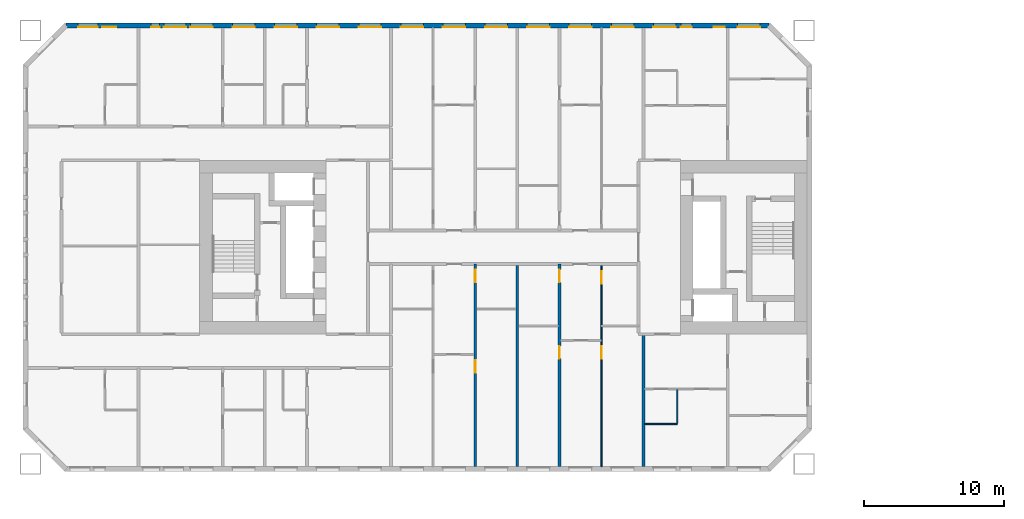
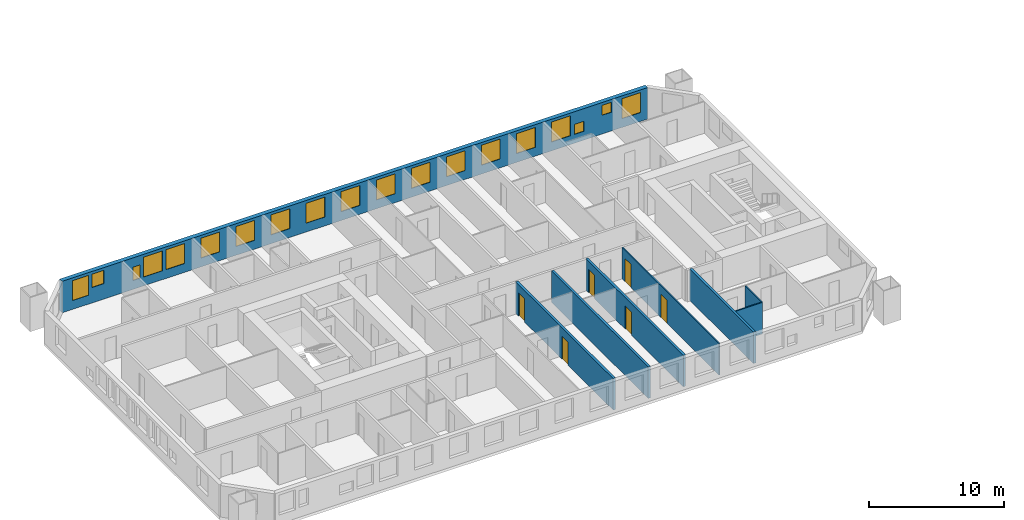
# One storey, part 6 of 17: 19 windows, 8 walls, 6 doors, 25 openings.
"""IFC4 building model written with IfcOpenShell, lengths in metres."""

from ifc_helpers import new_model, si_unit, direction, frame, frame_2d, origin, place, context, subcontext, project, spatial, rectangle, extrude, material, layer, layer_set, type_object, element, fill, save


model = new_model("IFC4")

# Units and contexts
model_context = context("Model", 3, precision=1e-05, world=origin(), true_north=direction((0.0, 1.0)))
body_context = subcontext(model_context, "Body", "Model", "MODEL_VIEW")
ifc_project = project(units=[si_unit("LENGTHUNIT", "METRE"), si_unit("AREAUNIT", "SQUARE_METRE"), si_unit("VOLUMEUNIT", "CUBIC_METRE"), si_unit("PLANEANGLEUNIT", "RADIAN"), si_unit("MASSUNIT", "GRAM", prefix="KILO")], contexts=[model_context])

# Site, building, storey
site_placement = place(None, origin())
site = spatial("IfcSite", under=ifc_project, at=site_placement, CompositionType="ELEMENT")
building_placement = place(site_placement, origin())
building = spatial("IfcBuilding", under=site, at=building_placement, Name="Tuart Gate Housing", CompositionType="ELEMENT")
storey_placement = place(building_placement, frame((0.0, 0.0, 22.60009765625)))
storey = spatial("IfcBuildingStorey", under=building, at=storey_placement, Name="L05", CompositionType="ELEMENT", Elevation=22.60009765625)

# Wall, openings, windows
ifc_material_1 = material(Name="Brick", Category="masonry")
ifc_layer_1 = layer(ifc_material_1, 0.360107421875)
ifc_layer_set_1 = layer_set([ifc_layer_1], Name="Brick pier and spandrel wall 360")
wall_type_1 = type_object("IfcWallType", Name="Brick pier and spandrel wall 360", PredefinedType="STANDARD", material=ifc_layer_set_1)
wall_1_placement = place(storey_placement, frame((72.92529296875, 85.820068359375, 0.0), z_axis=(0.0, 0.0, 1.0), x_axis=(-1.0, 0.0, 0.0)))
wall_1 = element("IfcWall", 1, at=wall_1_placement, inside=storey, type_object=wall_type_1, Name="External wall A-N L05", PredefinedType="STANDARD", context=body_context, shape_type="SweptSolid", body=[
    extrude(rectangle(XDim=50.100830078125, YDim=0.360107421875, at=frame_2d((25.05029296875, 0.0))), origin(), (0.0, 0.0, 1.0), 2.849853515625),
])
opening_1_placement = place(wall_1_placement, frame((0.62548828125, 0.0, 0.800048828125)))
opening_1 = element("IfcOpeningElement", 2, at=opening_1_placement, cuts=wall_1, Name="Opening W1", PredefinedType="OPENING", context=body_context, shape_type="SweptSolid", body=[
    extrude(rectangle(XDim=1.60009765625, YDim=1.800048828125, at=frame_2d((0.800048828125, 0.89990234375))), frame((0.0, 0.18994140625, 0.0), z_axis=(0.0, -1.0, 0.0), x_axis=(1.0, 0.0, 0.0)), (0.0, 0.0, 1.0), 0.380126953125),
])
opening_2_placement = place(wall_1_placement, frame((3.12548828125, 0.0, 1.699951171875)))
opening_2 = element("IfcOpeningElement", 3, at=opening_2_placement, cuts=wall_1, Name="Opening W1V", PredefinedType="OPENING", context=body_context, shape_type="SweptSolid", body=[
    extrude(rectangle(XDim=0.800048828125, YDim=0.89990234375, at=frame_2d((0.39990234375, 0.449951171875))), frame((0.0, 0.18994140625, 0.0), z_axis=(0.0, -1.0, 0.0), x_axis=(1.0, 0.0, 0.0)), (0.0, 0.0, 1.0), 0.380126953125),
])
opening_3_placement = place(wall_1_placement, frame((6.62548828125, 0.0, 0.800048828125)))
opening_3 = element("IfcOpeningElement", 4, at=opening_3_placement, cuts=wall_1, Name="Opening W1", PredefinedType="OPENING", context=body_context, shape_type="SweptSolid", body=[
    extrude(rectangle(XDim=1.60009765625, YDim=1.800048828125, at=frame_2d((0.800048828125, 0.89990234375))), frame((0.0, 0.18994140625, 0.0), z_axis=(0.0, -1.0, 0.0), x_axis=(1.0, 0.0, 0.0)), (0.0, 0.0, 1.0), 0.380126953125),
])
opening_4_placement = place(wall_1_placement, frame((9.62548828125, 0.0, 0.800048828125)))
opening_4 = element("IfcOpeningElement", 5, at=opening_4_placement, cuts=wall_1, Name="Opening W1", PredefinedType="OPENING", context=body_context, shape_type="SweptSolid", body=[
    extrude(rectangle(XDim=1.60009765625, YDim=1.800048828125, at=frame_2d((0.800048828125, 0.89990234375))), frame((0.0, 0.18994140625, 0.0), z_axis=(0.0, -1.0, 0.0), x_axis=(1.0, 0.0, 0.0)), (0.0, 0.0, 1.0), 0.380126953125),
])
opening_5_placement = place(wall_1_placement, frame((12.62548828125, 0.0, 0.800048828125)))
opening_5 = element("IfcOpeningElement", 6, at=opening_5_placement, cuts=wall_1, Name="Opening W1", PredefinedType="OPENING", context=body_context, shape_type="SweptSolid", body=[
    extrude(rectangle(XDim=1.60009765625, YDim=1.800048828125, at=frame_2d((0.800048828125, 0.89990234375))), frame((0.0, 0.18994140625, 0.0), z_axis=(0.0, -1.0, 0.0), x_axis=(1.0, 0.0, 0.0)), (0.0, 0.0, 1.0), 0.380126953125),
])
opening_6_placement = place(wall_1_placement, frame((15.62548828125, 0.0, 0.800048828125)))
opening_6 = element("IfcOpeningElement", 7, at=opening_6_placement, cuts=wall_1, Name="Opening W1", PredefinedType="OPENING", context=body_context, shape_type="SweptSolid", body=[
    extrude(rectangle(XDim=1.60009765625, YDim=1.800048828125, at=frame_2d((0.800048828125, 0.89990234375))), frame((0.0, 0.18994140625, 0.0), z_axis=(0.0, -1.0, 0.0), x_axis=(1.0, 0.0, 0.0)), (0.0, 0.0, 1.0), 0.380126953125),
])
opening_7_placement = place(wall_1_placement, frame((18.62548828125, 0.0, 0.800048828125)))
opening_7 = element("IfcOpeningElement", 8, at=opening_7_placement, cuts=wall_1, Name="Opening W1", PredefinedType="OPENING", context=body_context, shape_type="SweptSolid", body=[
    extrude(rectangle(XDim=1.60009765625, YDim=1.800048828125, at=frame_2d((0.800048828125, 0.89990234375))), frame((0.0, 0.18994140625, 0.0), z_axis=(0.0, -1.0, 0.0), x_axis=(1.0, 0.0, 0.0)), (0.0, 0.0, 1.0), 0.380126953125),
])
opening_8_placement = place(wall_1_placement, frame((21.62548828125, 0.0, 0.800048828125)))
opening_8 = element("IfcOpeningElement", 9, at=opening_8_placement, cuts=wall_1, Name="Opening W1", PredefinedType="OPENING", context=body_context, shape_type="SweptSolid", body=[
    extrude(rectangle(XDim=1.60009765625, YDim=1.800048828125, at=frame_2d((0.800048828125, 0.89990234375))), frame((0.0, 0.18994140625, 0.0), z_axis=(0.0, -1.0, 0.0), x_axis=(1.0, 0.0, 0.0)), (0.0, 0.0, 1.0), 0.380126953125),
])
opening_9_placement = place(wall_1_placement, frame((24.62548828125, 0.0, 0.800048828125)))
opening_9 = element("IfcOpeningElement", 10, at=opening_9_placement, cuts=wall_1, Name="Opening W1", PredefinedType="OPENING", context=body_context, shape_type="SweptSolid", body=[
    extrude(rectangle(XDim=1.60009765625, YDim=1.800048828125, at=frame_2d((0.800048828125, 0.89990234375))), frame((0.0, 0.18994140625, 0.0), z_axis=(0.0, -1.0, 0.0), x_axis=(1.0, 0.0, 0.0)), (0.0, 0.0, 1.0), 0.380126953125),
])
opening_10_placement = place(wall_1_placement, frame((27.62548828125, 0.0, 0.800048828125)))
opening_10 = element("IfcOpeningElement", 11, at=opening_10_placement, cuts=wall_1, Name="Opening W1", PredefinedType="OPENING", context=body_context, shape_type="SweptSolid", body=[
    extrude(rectangle(XDim=1.60009765625, YDim=1.800048828125, at=frame_2d((0.800048828125, 0.89990234375))), frame((0.0, 0.18994140625, 0.0), z_axis=(0.0, -1.0, 0.0), x_axis=(1.0, 0.0, 0.0)), (0.0, 0.0, 1.0), 0.380126953125),
])
opening_11_placement = place(wall_1_placement, frame((30.62548828125, 0.0, 0.800048828125)))
opening_11 = element("IfcOpeningElement", 12, at=opening_11_placement, cuts=wall_1, Name="Opening W1", PredefinedType="OPENING", context=body_context, shape_type="SweptSolid", body=[
    extrude(rectangle(XDim=1.60009765625, YDim=1.800048828125, at=frame_2d((0.800048828125, 0.89990234375))), frame((0.0, 0.18994140625, 0.0), z_axis=(0.0, -1.0, 0.0), x_axis=(1.0, 0.0, 0.0)), (0.0, 0.0, 1.0), 0.380126953125),
])
opening_12_placement = place(wall_1_placement, frame((33.62548828125, 0.0, 0.800048828125)))
opening_12 = element("IfcOpeningElement", 13, at=opening_12_placement, cuts=wall_1, Name="Opening W1", PredefinedType="OPENING", context=body_context, shape_type="SweptSolid", body=[
    extrude(rectangle(XDim=1.60009765625, YDim=1.800048828125, at=frame_2d((0.800048828125, 0.89990234375))), frame((0.0, 0.18994140625, 0.0), z_axis=(0.0, -1.0, 0.0), x_axis=(1.0, 0.0, 0.0)), (0.0, 0.0, 1.0), 0.380126953125),
])
opening_13_placement = place(wall_1_placement, frame((36.62548828125, 0.0, 0.800048828125)))
opening_13 = element("IfcOpeningElement", 14, at=opening_13_placement, cuts=wall_1, Name="Opening W1", PredefinedType="OPENING", context=body_context, shape_type="SweptSolid", body=[
    extrude(rectangle(XDim=1.60009765625, YDim=1.800048828125, at=frame_2d((0.800048828125, 0.89990234375))), frame((0.0, 0.18994140625, 0.0), z_axis=(0.0, -1.0, 0.0), x_axis=(1.0, 0.0, 0.0)), (0.0, 0.0, 1.0), 0.380126953125),
])
opening_14_placement = place(wall_1_placement, frame((39.62548828125, 0.0, 0.800048828125)))
opening_14 = element("IfcOpeningElement", 15, at=opening_14_placement, cuts=wall_1, Name="Opening W1", PredefinedType="OPENING", context=body_context, shape_type="SweptSolid", body=[
    extrude(rectangle(XDim=1.60009765625, YDim=1.800048828125, at=frame_2d((0.800048828125, 0.89990234375))), frame((0.0, 0.18994140625, 0.0), z_axis=(0.0, -1.0, 0.0), x_axis=(1.0, 0.0, 0.0)), (0.0, 0.0, 1.0), 0.380126953125),
])
opening_15_placement = place(wall_1_placement, frame((41.525390625, 0.0, 0.800048828125)))
opening_15 = element("IfcOpeningElement", 16, at=opening_15_placement, cuts=wall_1, Name="Opening W1", PredefinedType="OPENING", context=body_context, shape_type="SweptSolid", body=[
    extrude(rectangle(XDim=1.60009765625, YDim=1.800048828125, at=frame_2d((0.800048828125, 0.89990234375))), frame((0.0, 0.18994140625, 0.0), z_axis=(0.0, -1.0, 0.0), x_axis=(1.0, 0.0, 0.0)), (0.0, 0.0, 1.0), 0.380126953125),
])
opening_16_placement = place(wall_1_placement, frame((46.525390625, 0.0, 1.39990234375)))
opening_16 = element("IfcOpeningElement", 17, at=opening_16_placement, cuts=wall_1, Name="Opening W1O", PredefinedType="OPENING", context=body_context, shape_type="SweptSolid", body=[
    extrude(rectangle(XDim=1.0, YDim=1.199951171875, at=frame_2d((0.5, 0.60009765625))), frame((0.0, 0.18994140625, 0.0), z_axis=(0.0, -1.0, 0.0), x_axis=(1.0, 0.0, 0.0)), (0.0, 0.0, 1.0), 0.380126953125),
])
opening_17_placement = place(wall_1_placement, frame((5.475341796875, 0.0, 0.800048828125)))
opening_17 = element("IfcOpeningElement", 18, at=opening_17_placement, cuts=wall_1, Name="Opening W1V", PredefinedType="OPENING", context=body_context, shape_type="SweptSolid", body=[
    extrude(rectangle(XDim=0.800048828125, YDim=0.89990234375, at=frame_2d((0.39990234375, 0.449951171875))), frame((0.0, 0.18994140625, 0.0), z_axis=(0.0, -1.0, 0.0), x_axis=(1.0, 0.0, 0.0)), (0.0, 0.0, 1.0), 0.380126953125),
])
opening_18_placement = place(wall_1_placement, frame((43.42529296875, 0.0, 0.800048828125)))
opening_18 = element("IfcOpeningElement", 19, at=opening_18_placement, cuts=wall_1, Name="Opening W1Q", PredefinedType="OPENING", context=body_context, shape_type="SweptSolid", body=[
    extrude(rectangle(XDim=0.60009765625, YDim=1.199951171875, at=frame_2d((0.300048828125, 0.60009765625))), frame((0.0, 0.18994140625, 0.0), z_axis=(0.0, -1.0, 0.0), x_axis=(1.0, 0.0, 0.0)), (0.0, 0.0, 1.0), 0.380126953125),
])
opening_19_placement = place(wall_1_placement, frame((47.825439453125, 0.0, 0.800048828125)))
opening_19 = element("IfcOpeningElement", 20, at=opening_19_placement, cuts=wall_1, Name="Opening W1A", PredefinedType="OPENING", context=body_context, shape_type="SweptSolid", body=[
    extrude(rectangle(XDim=1.39990234375, YDim=1.800048828125, at=frame_2d((0.699951171875, 0.89990234375))), frame((0.0, 0.18994140625, 0.0), z_axis=(0.0, -1.0, 0.0), x_axis=(1.0, 0.0, 0.0)), (0.0, 0.0, 1.0), 0.380126953125),
])
ifc_material_2 = material(Name="Aluminium frame with clear glass", Category="aluminium")
window_type_1 = type_object("IfcWindowType", Name="Punched window 1000 x 1200", PartitioningType="SINGLE_PANEL", PredefinedType="WINDOW", material=ifc_material_2)
window_1_placement = place(opening_16_placement, origin())
window_1 = element("IfcWindow", 21, at=window_1_placement, inside=storey, type_object=window_type_1, Name="Window W1O", OverallHeight=1.199951171875, OverallWidth=1.0, PartitioningType="SINGLE_PANEL", PredefinedType="WINDOW", context=body_context, shape_type="SweptSolid", body=[
    extrude(rectangle(XDim=1.0, YDim=1.199951171875, at=frame_2d((0.5, 0.60009765625))), frame((0.0, 0.150146484375, 0.0), z_axis=(0.0, -1.0, 0.0), x_axis=(1.0, 0.0, 0.0)), (0.0, 0.0, 1.0), 0.06005859375),
])
fill(opening_16, window_1)
ifc_material_3 = material(Name="Aluminium frame with clear glass", Category="aluminium")
window_type_2 = type_object("IfcWindowType", Name="Punched window 1400 x 1800", PartitioningType="SINGLE_PANEL", PredefinedType="WINDOW", material=ifc_material_3)
window_2_placement = place(opening_19_placement, origin())
window_2 = element("IfcWindow", 22, at=window_2_placement, inside=storey, type_object=window_type_2, Name="Window W1A", OverallHeight=1.800048828125, OverallWidth=1.39990234375, PartitioningType="SINGLE_PANEL", PredefinedType="WINDOW", context=body_context, shape_type="SweptSolid", body=[
    extrude(rectangle(XDim=1.39990234375, YDim=1.800048828125, at=frame_2d((0.699951171875, 0.89990234375))), frame((0.0, 0.150146484375, 0.0), z_axis=(0.0, -1.0, 0.0), x_axis=(1.0, 0.0, 0.0)), (0.0, 0.0, 1.0), 0.06005859375),
])
fill(opening_19, window_2)
ifc_material_4 = material(Name="Aluminium frame with clear glass", Category="aluminium")
window_type_3 = type_object("IfcWindowType", Name="Punched window 1600 x 1800", PartitioningType="SINGLE_PANEL", PredefinedType="WINDOW", material=ifc_material_4)
window_3_placement = place(opening_1_placement, origin())
window_3 = element("IfcWindow", 23, at=window_3_placement, inside=storey, type_object=window_type_3, Name="Window W1", OverallHeight=1.800048828125, OverallWidth=1.60009765625, PartitioningType="SINGLE_PANEL", PredefinedType="WINDOW", context=body_context, shape_type="SweptSolid", body=[
    extrude(rectangle(XDim=1.60009765625, YDim=1.800048828125, at=frame_2d((0.800048828125, 0.89990234375))), frame((0.0, 0.150146484375, 0.0), z_axis=(0.0, -1.0, 0.0), x_axis=(1.0, 0.0, 0.0)), (0.0, 0.0, 1.0), 0.06005859375),
])
fill(opening_1, window_3)
window_4_placement = place(opening_3_placement, origin())
window_4 = element("IfcWindow", 24, at=window_4_placement, inside=storey, type_object=window_type_3, Name="Window W1", OverallHeight=1.800048828125, OverallWidth=1.60009765625, PartitioningType="SINGLE_PANEL", PredefinedType="WINDOW", context=body_context, shape_type="SweptSolid", body=[
    extrude(rectangle(XDim=1.60009765625, YDim=1.800048828125, at=frame_2d((0.800048828125, 0.89990234375))), frame((0.0, 0.150146484375, 0.0), z_axis=(0.0, -1.0, 0.0), x_axis=(1.0, 0.0, 0.0)), (0.0, 0.0, 1.0), 0.06005859375),
])
fill(opening_3, window_4)
window_5_placement = place(opening_4_placement, origin())
window_5 = element("IfcWindow", 25, at=window_5_placement, inside=storey, type_object=window_type_3, Name="Window W1", OverallHeight=1.800048828125, OverallWidth=1.60009765625, PartitioningType="SINGLE_PANEL", PredefinedType="WINDOW", context=body_context, shape_type="SweptSolid", body=[
    extrude(rectangle(XDim=1.60009765625, YDim=1.800048828125, at=frame_2d((0.800048828125, 0.89990234375))), frame((0.0, 0.150146484375, 0.0), z_axis=(0.0, -1.0, 0.0), x_axis=(1.0, 0.0, 0.0)), (0.0, 0.0, 1.0), 0.06005859375),
])
fill(opening_4, window_5)
window_6_placement = place(opening_5_placement, origin())
window_6 = element("IfcWindow", 26, at=window_6_placement, inside=storey, type_object=window_type_3, Name="Window W1", OverallHeight=1.800048828125, OverallWidth=1.60009765625, PartitioningType="SINGLE_PANEL", PredefinedType="WINDOW", context=body_context, shape_type="SweptSolid", body=[
    extrude(rectangle(XDim=1.60009765625, YDim=1.800048828125, at=frame_2d((0.800048828125, 0.89990234375))), frame((0.0, 0.150146484375, 0.0), z_axis=(0.0, -1.0, 0.0), x_axis=(1.0, 0.0, 0.0)), (0.0, 0.0, 1.0), 0.06005859375),
])
fill(opening_5, window_6)
window_7_placement = place(opening_6_placement, origin())
window_7 = element("IfcWindow", 27, at=window_7_placement, inside=storey, type_object=window_type_3, Name="Window W1", OverallHeight=1.800048828125, OverallWidth=1.60009765625, PartitioningType="SINGLE_PANEL", PredefinedType="WINDOW", context=body_context, shape_type="SweptSolid", body=[
    extrude(rectangle(XDim=1.60009765625, YDim=1.800048828125, at=frame_2d((0.800048828125, 0.89990234375))), frame((0.0, 0.150146484375, 0.0), z_axis=(0.0, -1.0, 0.0), x_axis=(1.0, 0.0, 0.0)), (0.0, 0.0, 1.0), 0.06005859375),
])
fill(opening_6, window_7)
window_8_placement = place(opening_7_placement, origin())
window_8 = element("IfcWindow", 28, at=window_8_placement, inside=storey, type_object=window_type_3, Name="Window W1", OverallHeight=1.800048828125, OverallWidth=1.60009765625, PartitioningType="SINGLE_PANEL", PredefinedType="WINDOW", context=body_context, shape_type="SweptSolid", body=[
    extrude(rectangle(XDim=1.60009765625, YDim=1.800048828125, at=frame_2d((0.800048828125, 0.89990234375))), frame((0.0, 0.150146484375, 0.0), z_axis=(0.0, -1.0, 0.0), x_axis=(1.0, 0.0, 0.0)), (0.0, 0.0, 1.0), 0.06005859375),
])
fill(opening_7, window_8)
window_9_placement = place(opening_8_placement, origin())
window_9 = element("IfcWindow", 29, at=window_9_placement, inside=storey, type_object=window_type_3, Name="Window W1", OverallHeight=1.800048828125, OverallWidth=1.60009765625, PartitioningType="SINGLE_PANEL", PredefinedType="WINDOW", context=body_context, shape_type="SweptSolid", body=[
    extrude(rectangle(XDim=1.60009765625, YDim=1.800048828125, at=frame_2d((0.800048828125, 0.89990234375))), frame((0.0, 0.150146484375, 0.0), z_axis=(0.0, -1.0, 0.0), x_axis=(1.0, 0.0, 0.0)), (0.0, 0.0, 1.0), 0.06005859375),
])
fill(opening_8, window_9)
window_10_placement = place(opening_9_placement, origin())
window_10 = element("IfcWindow", 30, at=window_10_placement, inside=storey, type_object=window_type_3, Name="Window W1", OverallHeight=1.800048828125, OverallWidth=1.60009765625, PartitioningType="SINGLE_PANEL", PredefinedType="WINDOW", context=body_context, shape_type="SweptSolid", body=[
    extrude(rectangle(XDim=1.60009765625, YDim=1.800048828125, at=frame_2d((0.800048828125, 0.89990234375))), frame((0.0, 0.150146484375, 0.0), z_axis=(0.0, -1.0, 0.0), x_axis=(1.0, 0.0, 0.0)), (0.0, 0.0, 1.0), 0.06005859375),
])
fill(opening_9, window_10)
window_11_placement = place(opening_10_placement, origin())
window_11 = element("IfcWindow", 31, at=window_11_placement, inside=storey, type_object=window_type_3, Name="Window W1", OverallHeight=1.800048828125, OverallWidth=1.60009765625, PartitioningType="SINGLE_PANEL", PredefinedType="WINDOW", context=body_context, shape_type="SweptSolid", body=[
    extrude(rectangle(XDim=1.60009765625, YDim=1.800048828125, at=frame_2d((0.800048828125, 0.89990234375))), frame((0.0, 0.150146484375, 0.0), z_axis=(0.0, -1.0, 0.0), x_axis=(1.0, 0.0, 0.0)), (0.0, 0.0, 1.0), 0.06005859375),
])
fill(opening_10, window_11)
window_12_placement = place(opening_11_placement, origin())
window_12 = element("IfcWindow", 32, at=window_12_placement, inside=storey, type_object=window_type_3, Name="Window W1", OverallHeight=1.800048828125, OverallWidth=1.60009765625, PartitioningType="SINGLE_PANEL", PredefinedType="WINDOW", context=body_context, shape_type="SweptSolid", body=[
    extrude(rectangle(XDim=1.60009765625, YDim=1.800048828125, at=frame_2d((0.800048828125, 0.89990234375))), frame((0.0, 0.150146484375, 0.0), z_axis=(0.0, -1.0, 0.0), x_axis=(1.0, 0.0, 0.0)), (0.0, 0.0, 1.0), 0.06005859375),
])
fill(opening_11, window_12)
window_13_placement = place(opening_12_placement, origin())
window_13 = element("IfcWindow", 33, at=window_13_placement, inside=storey, type_object=window_type_3, Name="Window W1", OverallHeight=1.800048828125, OverallWidth=1.60009765625, PartitioningType="SINGLE_PANEL", PredefinedType="WINDOW", context=body_context, shape_type="SweptSolid", body=[
    extrude(rectangle(XDim=1.60009765625, YDim=1.800048828125, at=frame_2d((0.800048828125, 0.89990234375))), frame((0.0, 0.150146484375, 0.0), z_axis=(0.0, -1.0, 0.0), x_axis=(1.0, 0.0, 0.0)), (0.0, 0.0, 1.0), 0.06005859375),
])
fill(opening_12, window_13)
window_14_placement = place(opening_13_placement, origin())
window_14 = element("IfcWindow", 34, at=window_14_placement, inside=storey, type_object=window_type_3, Name="Window W1", OverallHeight=1.800048828125, OverallWidth=1.60009765625, PartitioningType="SINGLE_PANEL", PredefinedType="WINDOW", context=body_context, shape_type="SweptSolid", body=[
    extrude(rectangle(XDim=1.60009765625, YDim=1.800048828125, at=frame_2d((0.800048828125, 0.89990234375))), frame((0.0, 0.150146484375, 0.0), z_axis=(0.0, -1.0, 0.0), x_axis=(1.0, 0.0, 0.0)), (0.0, 0.0, 1.0), 0.06005859375),
])
fill(opening_13, window_14)
window_15_placement = place(opening_14_placement, origin())
window_15 = element("IfcWindow", 35, at=window_15_placement, inside=storey, type_object=window_type_3, Name="Window W1", OverallHeight=1.800048828125, OverallWidth=1.60009765625, PartitioningType="SINGLE_PANEL", PredefinedType="WINDOW", context=body_context, shape_type="SweptSolid", body=[
    extrude(rectangle(XDim=1.60009765625, YDim=1.800048828125, at=frame_2d((0.800048828125, 0.89990234375))), frame((0.0, 0.150146484375, 0.0), z_axis=(0.0, -1.0, 0.0), x_axis=(1.0, 0.0, 0.0)), (0.0, 0.0, 1.0), 0.06005859375),
])
fill(opening_14, window_15)
window_16_placement = place(opening_15_placement, origin())
window_16 = element("IfcWindow", 36, at=window_16_placement, inside=storey, type_object=window_type_3, Name="Window W1", OverallHeight=1.800048828125, OverallWidth=1.60009765625, PartitioningType="SINGLE_PANEL", PredefinedType="WINDOW", context=body_context, shape_type="SweptSolid", body=[
    extrude(rectangle(XDim=1.60009765625, YDim=1.800048828125, at=frame_2d((0.800048828125, 0.89990234375))), frame((0.0, 0.150146484375, 0.0), z_axis=(0.0, -1.0, 0.0), x_axis=(1.0, 0.0, 0.0)), (0.0, 0.0, 1.0), 0.06005859375),
])
fill(opening_15, window_16)
ifc_material_5 = material(Name="Aluminium frame with clear glass", Category="aluminium")
window_type_4 = type_object("IfcWindowType", Name="Punched window 600 x 1200", PartitioningType="SINGLE_PANEL", PredefinedType="WINDOW", material=ifc_material_5)
window_17_placement = place(opening_18_placement, origin())
window_17 = element("IfcWindow", 37, at=window_17_placement, inside=storey, type_object=window_type_4, Name="Window W1Q", OverallHeight=1.199951171875, OverallWidth=0.60009765625, PartitioningType="SINGLE_PANEL", PredefinedType="WINDOW", context=body_context, shape_type="SweptSolid", body=[
    extrude(rectangle(XDim=0.60009765625, YDim=1.199951171875, at=frame_2d((0.300048828125, 0.60009765625))), frame((0.0, 0.150146484375, 0.0), z_axis=(0.0, -1.0, 0.0), x_axis=(1.0, 0.0, 0.0)), (0.0, 0.0, 1.0), 0.06005859375),
])
fill(opening_18, window_17)
ifc_material_6 = material(Name="Aluminium frame with clear glass", Category="aluminium")
window_type_5 = type_object("IfcWindowType", Name="Punched window 800 x 900", PartitioningType="SINGLE_PANEL", PredefinedType="WINDOW", material=ifc_material_6)
window_18_placement = place(opening_2_placement, origin())
window_18 = element("IfcWindow", 38, at=window_18_placement, inside=storey, type_object=window_type_5, Name="Window W1V", OverallHeight=0.89990234375, OverallWidth=0.800048828125, PartitioningType="SINGLE_PANEL", PredefinedType="WINDOW", context=body_context, shape_type="SweptSolid", body=[
    extrude(rectangle(XDim=0.800048828125, YDim=0.89990234375, at=frame_2d((0.39990234375, 0.449951171875))), frame((0.0, 0.150146484375, 0.0), z_axis=(0.0, -1.0, 0.0), x_axis=(1.0, 0.0, 0.0)), (0.0, 0.0, 1.0), 0.06005859375),
])
fill(opening_2, window_18)
window_19_placement = place(opening_17_placement, origin())
window_19 = element("IfcWindow", 39, at=window_19_placement, inside=storey, type_object=window_type_5, Name="Window W1V", OverallHeight=0.89990234375, OverallWidth=0.800048828125, PartitioningType="SINGLE_PANEL", PredefinedType="WINDOW", context=body_context, shape_type="SweptSolid", body=[
    extrude(rectangle(XDim=0.800048828125, YDim=0.89990234375, at=frame_2d((0.39990234375, 0.449951171875))), frame((0.0, 0.150146484375, 0.0), z_axis=(0.0, -1.0, 0.0), x_axis=(1.0, 0.0, 0.0)), (0.0, 0.0, 1.0), 0.06005859375),
])
fill(opening_17, window_19)

# Wall
ifc_material_7 = material(Name="Gypsum board on steel studs", Category="steel")
ifc_layer_2 = layer(ifc_material_7, 0.10009765625)
ifc_layer_set_2 = layer_set([ifc_layer_2], Name="Partition 100")
wall_type_2 = type_object("IfcWallType", Name="Partition 100", PredefinedType="PARTITIONING", material=ifc_layer_set_2)
wall_2_placement = place(storey_placement, frame((64.10009765625, 57.39990234375, 0.0), z_axis=(0.0, 0.0, 1.0), x_axis=(1.0, 0.0, 0.0)))
element("IfcWall", 40, at=wall_2_placement, inside=storey, type_object=wall_type_2, Name="Partition 100", PredefinedType="PARTITIONING", context=body_context, shape_type="SweptSolid", body=[
    extrude(rectangle(XDim=2.2998046875, YDim=0.10009765625, at=frame_2d((1.14990234375, 0.0))), origin(), (0.0, 0.0, 1.0), 2.849853515625),
])

# Wall, openings, doors
wall_3_placement = place(storey_placement, frame((61.0, 54.360107421875, 0.0), z_axis=(0.0, 0.0, 1.0), x_axis=(0.0, 1.0, 0.0)))
wall_3 = element("IfcWall", 41, at=wall_3_placement, inside=storey, type_object=wall_type_2, Name="Partition 100", PredefinedType="PARTITIONING", context=body_context, shape_type="SweptSolid", body=[
    extrude(rectangle(XDim=14.33984375, YDim=0.10009765625, at=frame_2d((7.169921875, 0.0))), origin(), (0.0, 0.0, 1.0), 2.849853515625),
])
opening_20_placement = place(wall_3_placement, frame((7.699951171875, 0.0, 0.0)))
opening_20 = element("IfcOpeningElement", 42, at=opening_20_placement, cuts=wall_3, Name="Opening D396", PredefinedType="OPENING", context=body_context, shape_type="SweptSolid", body=[
    extrude(rectangle(XDim=0.89990234375, YDim=2.10009765625, at=frame_2d((0.449951171875, 1.050048828125))), frame((0.0, 0.06005859375, 0.0), z_axis=(0.0, -1.0, 0.0), x_axis=(1.0, 0.0, 0.0)), (0.0, 0.0, 1.0), 0.1201171875),
])
opening_21_placement = place(wall_3_placement, frame((13.0400390625, 0.0, 0.0)))
opening_21 = element("IfcOpeningElement", 43, at=opening_21_placement, cuts=wall_3, Name="Opening D395", PredefinedType="OPENING", context=body_context, shape_type="SweptSolid", body=[
    extrude(rectangle(XDim=0.89990234375, YDim=2.10009765625, at=frame_2d((0.449951171875, 1.050048828125))), frame((0.0, 0.06005859375, 0.0), z_axis=(0.0, -1.0, 0.0), x_axis=(1.0, 0.0, 0.0)), (0.0, 0.0, 1.0), 0.1201171875),
])
ifc_material_8 = material(Name="Timber door leaf in steel frame", Category="steel")
door_type_1 = type_object("IfcDoorType", Name="Bathroom door 900", OperationType="SINGLE_SWING_LEFT", PredefinedType="DOOR", material=ifc_material_8)
door_1_placement = place(opening_21_placement, frame((0.89990234375, 0.0, 0.0), z_axis=(0.0, 0.0, 1.0), x_axis=(-1.0, 0.0, 0.0)))
door_1 = element("IfcDoor", 44, at=door_1_placement, inside=storey, type_object=door_type_1, Name="Bathroom door", OperationType="SINGLE_SWING_LEFT", OverallHeight=2.10009765625, OverallWidth=0.89990234375, PredefinedType="DOOR", context=body_context, shape_type="SweptSolid", body=[
    extrude(rectangle(XDim=0.89990234375, YDim=2.10009765625, at=frame_2d((0.449951171875, 1.050048828125))), frame((0.0, 0.025146484375, 0.0), z_axis=(0.0, -1.0, 0.0), x_axis=(1.0, 0.0, 0.0)), (0.0, 0.0, 1.0), 0.050048828125),
])
fill(opening_21, door_1)
ifc_material_9 = material(Name="Timber door leaf in steel frame", Category="steel")
door_type_2 = type_object("IfcDoorType", Name="Internal door 900", OperationType="SINGLE_SWING_LEFT", PredefinedType="DOOR", material=ifc_material_9)
door_2_placement = place(opening_20_placement, frame((0.89990234375, 0.0, 0.0), z_axis=(0.0, 0.0, 1.0), x_axis=(-1.0, 0.0, 0.0)))
door_2 = element("IfcDoor", 45, at=door_2_placement, inside=storey, type_object=door_type_2, Name="Internal door", OperationType="SINGLE_SWING_LEFT", OverallHeight=2.10009765625, OverallWidth=0.89990234375, PredefinedType="DOOR", context=body_context, shape_type="SweptSolid", body=[
    extrude(rectangle(XDim=0.89990234375, YDim=2.10009765625, at=frame_2d((0.449951171875, 1.050048828125))), frame((0.0, 0.025146484375, 0.0), z_axis=(0.0, -1.0, 0.0), x_axis=(1.0, 0.0, 0.0)), (0.0, 0.0, 1.0), 0.050048828125),
])
fill(opening_20, door_2)

# Wall
wall_4_placement = place(storey_placement, frame((66.39990234375, 57.449951171875, 0.0), z_axis=(0.0, 0.0, 1.0), x_axis=(0.0, 1.0, 0.0)))
element("IfcWall", 46, at=wall_4_placement, inside=storey, type_object=wall_type_2, Name="Partition 100", PredefinedType="PARTITIONING", context=body_context, shape_type="SweptSolid", body=[
    extrude(rectangle(XDim=2.400146484375, YDim=0.10009765625, at=frame_2d((1.2001953125, 0.0))), origin(), (0.0, 0.0, 1.0), 2.849853515625),
])

# Wall, openings, doors
ifc_material_10 = material(Name="Concrete C40", Category="concrete")
ifc_layer_3 = layer(ifc_material_10, 0.199951171875)
ifc_layer_set_3 = layer_set([ifc_layer_3], Name="Party wall concrete C40 200")
wall_type_3 = type_object("IfcWallType", Name="Party wall concrete C40 200", PredefinedType="SOLIDWALL", material=ifc_layer_set_3)
wall_5_placement = place(storey_placement, frame((52.0, 54.360107421875, 0.0), z_axis=(0.0, 0.0, 1.0), x_axis=(0.0, 1.0, 0.0)))
wall_5 = element("IfcWall", 47, at=wall_5_placement, inside=storey, type_object=wall_type_3, Name="Party wall concrete C40 200", PredefinedType="SOLIDWALL", context=body_context, shape_type="SweptSolid", body=[
    extrude(rectangle(XDim=14.43994140625, YDim=0.199951171875, at=frame_2d((7.219970703125, 0.0))), origin(), (0.0, 0.0, 1.0), 2.849853515625),
])
opening_22_placement = place(wall_5_placement, frame((6.699951171875, 0.0, 0.0)))
opening_22 = element("IfcOpeningElement", 48, at=opening_22_placement, cuts=wall_5, Name="Opening D390", PredefinedType="OPENING", context=body_context, shape_type="SweptSolid", body=[
    extrude(rectangle(XDim=0.89990234375, YDim=2.10009765625, at=frame_2d((0.449951171875, 1.050048828125))), frame((0.0, 0.10986328125, 0.0), z_axis=(0.0, -1.0, 0.0), x_axis=(1.0, 0.0, 0.0)), (0.0, 0.0, 1.0), 0.219970703125),
])
opening_23_placement = place(wall_5_placement, frame((13.139892578125, 0.0, 0.0)))
opening_23 = element("IfcOpeningElement", 49, at=opening_23_placement, cuts=wall_5, Name="Opening D389", PredefinedType="OPENING", context=body_context, shape_type="SweptSolid", body=[
    extrude(rectangle(XDim=0.89990234375, YDim=2.10009765625, at=frame_2d((0.449951171875, 1.050048828125))), frame((0.0, 0.10986328125, 0.0), z_axis=(0.0, -1.0, 0.0), x_axis=(1.0, 0.0, 0.0)), (0.0, 0.0, 1.0), 0.219970703125),
])
door_3_placement = place(opening_23_placement, frame((0.89990234375, 0.0, 0.0), z_axis=(0.0, 0.0, 1.0), x_axis=(-1.0, 0.0, 0.0)))
door_3 = element("IfcDoor", 50, at=door_3_placement, inside=storey, type_object=door_type_1, Name="Bathroom door", OperationType="SINGLE_SWING_LEFT", OverallHeight=2.10009765625, OverallWidth=0.89990234375, PredefinedType="DOOR", context=body_context, shape_type="SweptSolid", body=[
    extrude(rectangle(XDim=0.89990234375, YDim=2.10009765625, at=frame_2d((0.449951171875, 1.050048828125))), frame((0.0, 0.025146484375, 0.0), z_axis=(0.0, -1.0, 0.0), x_axis=(1.0, 0.0, 0.0)), (0.0, 0.0, 1.0), 0.050048828125),
])
fill(opening_23, door_3)
door_4_placement = place(opening_22_placement, frame((0.89990234375, 0.0, 0.0), z_axis=(0.0, 0.0, 1.0), x_axis=(-1.0, 0.0, 0.0)))
door_4 = element("IfcDoor", 51, at=door_4_placement, inside=storey, type_object=door_type_2, Name="Internal door", OperationType="SINGLE_SWING_LEFT", OverallHeight=2.10009765625, OverallWidth=0.89990234375, PredefinedType="DOOR", context=body_context, shape_type="SweptSolid", body=[
    extrude(rectangle(XDim=0.89990234375, YDim=2.10009765625, at=frame_2d((0.449951171875, 1.050048828125))), frame((0.0, 0.025146484375, 0.0), z_axis=(0.0, -1.0, 0.0), x_axis=(1.0, 0.0, 0.0)), (0.0, 0.0, 1.0), 0.050048828125),
])
fill(opening_22, door_4)

wall_6_placement = place(storey_placement, frame((58.0, 54.360107421875, 0.0), z_axis=(0.0, 0.0, 1.0), x_axis=(0.0, 1.0, 0.0)))
wall_6 = element("IfcWall", 52, at=wall_6_placement, inside=storey, type_object=wall_type_3, Name="Party wall concrete C40 200", PredefinedType="SOLIDWALL", context=body_context, shape_type="SweptSolid", body=[
    extrude(rectangle(XDim=14.43994140625, YDim=0.199951171875, at=frame_2d((7.219970703125, 0.0))), origin(), (0.0, 0.0, 1.0), 2.849853515625),
])
opening_24_placement = place(wall_6_placement, frame((7.699951171875, 0.0, 0.0)))
opening_24 = element("IfcOpeningElement", 53, at=opening_24_placement, cuts=wall_6, Name="Opening D392", PredefinedType="OPENING", context=body_context, shape_type="SweptSolid", body=[
    extrude(rectangle(XDim=0.89990234375, YDim=2.10009765625, at=frame_2d((0.449951171875, 1.050048828125))), frame((0.0, 0.10986328125, 0.0), z_axis=(0.0, -1.0, 0.0), x_axis=(1.0, 0.0, 0.0)), (0.0, 0.0, 1.0), 0.219970703125),
])
opening_25_placement = place(wall_6_placement, frame((13.139892578125, 0.0, 0.0)))
opening_25 = element("IfcOpeningElement", 54, at=opening_25_placement, cuts=wall_6, Name="Opening D391", PredefinedType="OPENING", context=body_context, shape_type="SweptSolid", body=[
    extrude(rectangle(XDim=0.89990234375, YDim=2.10009765625, at=frame_2d((0.449951171875, 1.050048828125))), frame((0.0, 0.10986328125, 0.0), z_axis=(0.0, -1.0, 0.0), x_axis=(1.0, 0.0, 0.0)), (0.0, 0.0, 1.0), 0.219970703125),
])
ifc_material_11 = material(Name="Timber door leaf in steel frame", Category="steel")
door_type_3 = type_object("IfcDoorType", Name="Bathroom door 900 RH", OperationType="SINGLE_SWING_RIGHT", PredefinedType="DOOR", material=ifc_material_11)
door_5_placement = place(opening_25_placement, origin())
door_5 = element("IfcDoor", 55, at=door_5_placement, inside=storey, type_object=door_type_3, Name="Bathroom door", OperationType="SINGLE_SWING_RIGHT", OverallHeight=2.10009765625, OverallWidth=0.89990234375, PredefinedType="DOOR", context=body_context, shape_type="SweptSolid", body=[
    extrude(rectangle(XDim=0.89990234375, YDim=2.10009765625, at=frame_2d((0.449951171875, 1.050048828125))), frame((0.0, 0.02490234375, 0.0), z_axis=(0.0, -1.0, 0.0), x_axis=(1.0, 0.0, 0.0)), (0.0, 0.0, 1.0), 0.050048828125),
])
fill(opening_25, door_5)
ifc_material_12 = material(Name="Timber door leaf in steel frame", Category="steel")
door_type_4 = type_object("IfcDoorType", Name="Internal door 900 RH", OperationType="SINGLE_SWING_RIGHT", PredefinedType="DOOR", material=ifc_material_12)
door_6_placement = place(opening_24_placement, origin())
door_6 = element("IfcDoor", 56, at=door_6_placement, inside=storey, type_object=door_type_4, Name="Internal door", OperationType="SINGLE_SWING_RIGHT", OverallHeight=2.10009765625, OverallWidth=0.89990234375, PredefinedType="DOOR", context=body_context, shape_type="SweptSolid", body=[
    extrude(rectangle(XDim=0.89990234375, YDim=2.10009765625, at=frame_2d((0.449951171875, 1.050048828125))), frame((0.0, 0.02490234375, 0.0), z_axis=(0.0, -1.0, 0.0), x_axis=(1.0, 0.0, 0.0)), (0.0, 0.0, 1.0), 0.050048828125),
])
fill(opening_24, door_6)

# Walls
wall_7_placement = place(storey_placement, frame((64.0, 54.360107421875, 0.0), z_axis=(0.0, 0.0, 1.0), x_axis=(0.0, 1.0, 0.0)))
element("IfcWall", 57, at=wall_7_placement, inside=storey, type_object=wall_type_3, Name="Party wall concrete C40 200", PredefinedType="SOLIDWALL", context=body_context, shape_type="SweptSolid", body=[
    extrude(rectangle(XDim=9.43994140625, YDim=0.199951171875, at=frame_2d((4.719970703125, 0.0))), origin(), (0.0, 0.0, 1.0), 2.849853515625),
])
ifc_material_13 = material(Name="Concrete masonry 15 MPa", Category="masonry")
ifc_layer_4 = layer(ifc_material_13, 0.199951171875)
ifc_layer_set_4 = layer_set([ifc_layer_4], Name="Party wall masonry 200")
wall_type_4 = type_object("IfcWallType", Name="Party wall masonry 200", PredefinedType="PARTITIONING", material=ifc_layer_set_4)
wall_8_placement = place(storey_placement, frame((55.0, 54.360107421875, 0.0), z_axis=(0.0, 0.0, 1.0), x_axis=(0.0, 1.0, 0.0)))
element("IfcWall", 58, at=wall_8_placement, inside=storey, type_object=wall_type_4, Name="Party wall masonry 200", PredefinedType="PARTITIONING", context=body_context, shape_type="SweptSolid", body=[
    extrude(rectangle(XDim=14.33984375, YDim=0.199951171875, at=frame_2d((7.169921875, 0.0))), origin(), (0.0, 0.0, 1.0), 2.849853515625),
])

save(model, "model.ifc")
